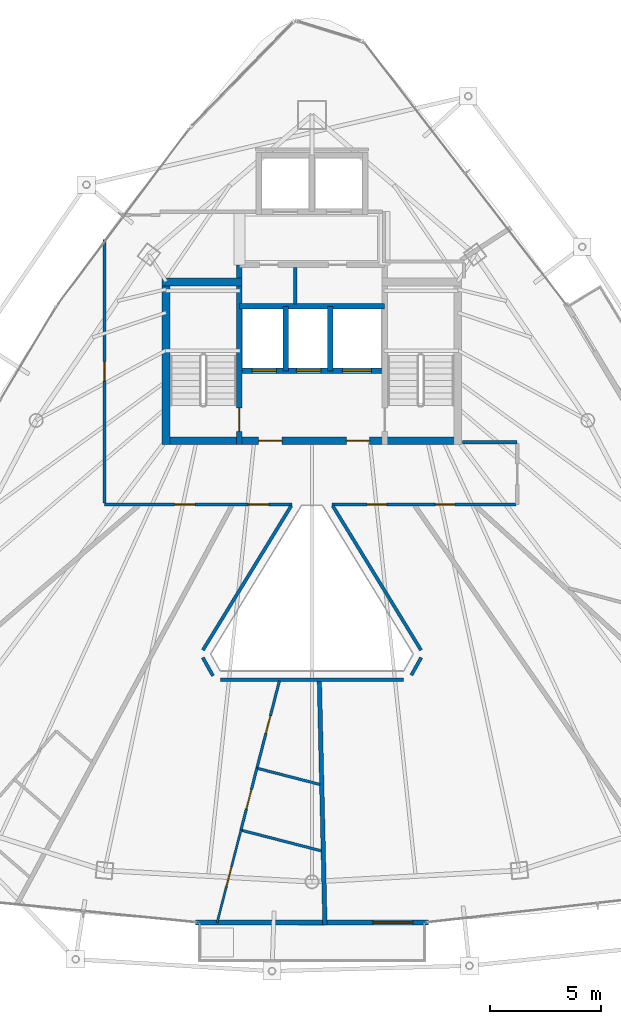
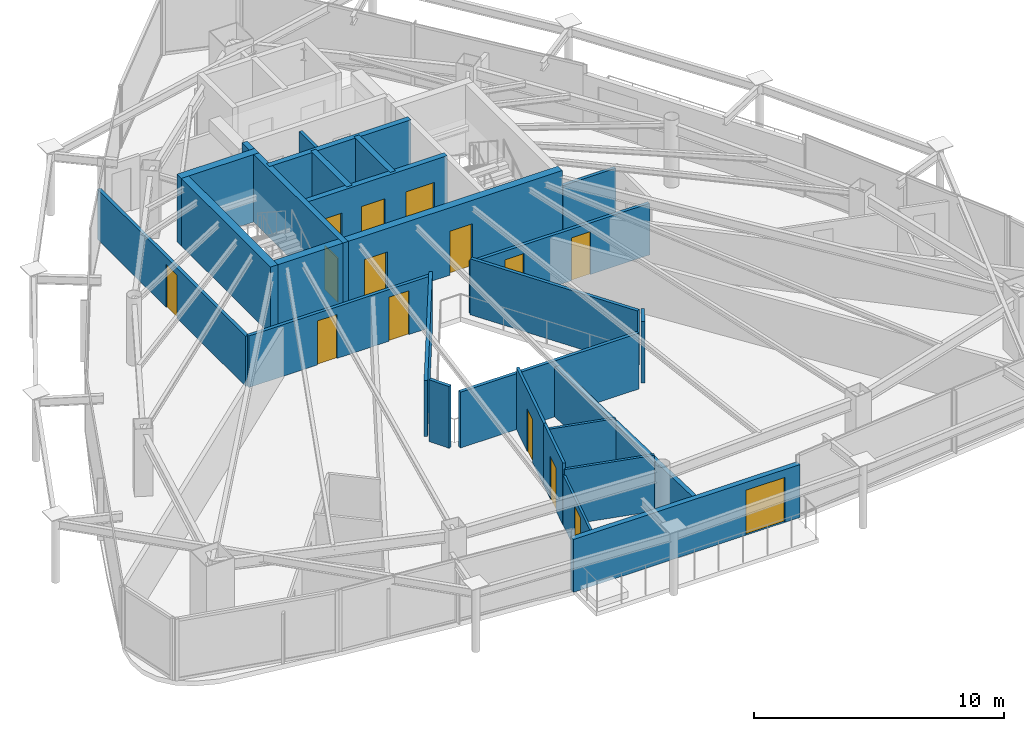
# One storey, part 26 of 30: 25 walls, 15 doors, 15 openings.
"""IFC4 building model written with IfcOpenShell, lengths in metres."""

from ifc_helpers import new_model, si_unit, direction, frame, frame_2d, origin, place, context, subcontext, project, spatial, rectangle, extrude, material, layer, layer_set, type_object, element, fill, save


model = new_model("IFC4")

# Units and contexts
model_context = context("Model", 3, precision=1e-05, world=origin(), true_north=direction((0.0, 1.0)))
body_context = subcontext(model_context, "Body", "Model", "MODEL_VIEW")
ifc_project = project(units=[si_unit("LENGTHUNIT", "METRE"), si_unit("AREAUNIT", "SQUARE_METRE"), si_unit("VOLUMEUNIT", "CUBIC_METRE"), si_unit("PLANEANGLEUNIT", "RADIAN"), si_unit("MASSUNIT", "GRAM", prefix="KILO")], contexts=[model_context])

# Site, building, storey
site_placement = place(None, origin())
site = spatial("IfcSite", under=ifc_project, at=site_placement, CompositionType="ELEMENT")
building_placement = place(site_placement, origin())
building = spatial("IfcBuilding", under=site, at=building_placement, Name="Orvanel Arch Residences", CompositionType="ELEMENT")
storey_placement = place(building_placement, frame((0.0, 0.0, 232.699951171875)))
storey = spatial("IfcBuildingStorey", under=building, at=storey_placement, Name="L66", CompositionType="ELEMENT", Elevation=232.699951171875)

# Wall, opening, door
ifc_material_1 = material(Name="Precast concrete N50 (50 MPa)", Category="concrete")
ifc_layer_1 = layer(ifc_material_1, 0.239990234375)
ifc_layer_set_1 = layer_set([ifc_layer_1], Name="Precast concrete N50 (50 MPa)")
wall_type_1 = type_object("IfcWallType", Name="EW-BAL-240", PredefinedType="SOLIDWALL", material=ifc_layer_set_1)
wall_1_placement = place(storey_placement, frame((27.758056640625, 5.010986328125, 0.0), z_axis=(0.0, 0.0, 1.0), x_axis=(1.0, 0.0, 0.0)))
wall_1 = element("IfcWall", 1, at=wall_1_placement, inside=storey, type_object=wall_type_1, Name="L66 Balcony Threshold Wall Face 2", PredefinedType="SOLIDWALL", context=body_context, shape_type="SweptSolid", body=[
    extrude(rectangle(XDim=10.48388671875, YDim=0.239990234375, at=frame_2d((5.241943359375, 0.0))), origin(), (0.0, 0.0, 1.0), 2.583984375),
])
opening_1_placement = place(wall_1_placement, frame((7.986083984375, 0.0, 0.0)))
opening_1 = element("IfcOpeningElement", 2, at=opening_1_placement, cuts=wall_1, Name="Opening DB-180", PredefinedType="OPENING", context=body_context, shape_type="SweptSolid", body=[
    extrude(rectangle(XDim=1.800048828125, YDim=2.199951171875, at=frame_2d((0.89990234375, 1.10009765625))), frame((0.0, 0.1298828125, 0.0), z_axis=(0.0, -1.0, 0.0), x_axis=(1.0, 0.0, 0.0)), (0.0, 0.0, 1.0), 0.260009765625),
])
ifc_material_2 = material(Name="Bronze-anodised aluminium AA6063-T6", Category="aluminium")
door_type_1 = type_object("IfcDoorType", Name="DR-BAL-1800", OperationType="NOTDEFINED", PredefinedType="DOOR", material=ifc_material_2)
door_1_placement = place(opening_1_placement, origin())
door_1 = element("IfcDoor", 3, at=door_1_placement, inside=storey, type_object=door_type_1, Name="DR-L66-BAL-F2 L66 Planted Balcony Access Door Face 2", OperationType="SINGLE_SWING_RIGHT", OverallHeight=2.199951171875, OverallWidth=1.800048828125, PredefinedType="DOOR", context=body_context, shape_type="SweptSolid", body=[
    extrude(rectangle(XDim=1.800048828125, YDim=2.199951171875, at=frame_2d((0.89990234375, 1.10009765625))), frame((0.0, 0.02490234375, 0.0), z_axis=(0.0, -1.0, 0.0), x_axis=(1.0, 0.0, 0.0)), (0.0, 0.0, 1.0), 0.050048828125),
])
fill(opening_1, door_1)

ifc_material_3 = material(Name="Concrete N50 (50 MPa)", Category="concrete")
ifc_layer_2 = layer(ifc_material_3, 0.25)
ifc_layer_set_2 = layer_set([ifc_layer_2], Name="Concrete N50 (50 MPa)")
wall_type_2 = type_object("IfcWallType", Name="SW-CORE-250", PredefinedType="SHEAR", material=ifc_layer_set_2)
wall_2_placement = place(storey_placement, frame((29.72509765625, 26.550048828125, 0.0), z_axis=(0.0, 0.0, 1.0), x_axis=(0.0, 1.0, 0.0)))
wall_2 = element("IfcWall", 4, at=wall_2_placement, inside=storey, type_object=wall_type_2, Name="L66 West Inner Core Spine Shear Wall", PredefinedType="SHEAR", context=body_context, shape_type="SweptSolid", body=[
    extrude(rectangle(XDim=8.099853515625, YDim=0.25, at=frame_2d((4.0498046875, 0.0))), origin(), (0.0, 0.0, 1.0), 3.300048828125),
])
opening_2_placement = place(wall_2_placement, frame((0.60009765625, 0.0, 0.0)))
opening_2 = element("IfcOpeningElement", 5, at=opening_2_placement, cuts=wall_2, Name="Opening DF-120", PredefinedType="OPENING", context=body_context, shape_type="SweptSolid", body=[
    extrude(rectangle(XDim=1.050048828125, YDim=2.14990234375, at=frame_2d((0.52490234375, 1.074951171875))), frame((0.0, 0.135009765625, 0.0), z_axis=(0.0, -1.0, 0.0), x_axis=(1.0, 0.0, 0.0)), (0.0, 0.0, 1.0), 0.27001953125),
])
ifc_material_4 = material(Name="Galvanised steel fire-resisting door assembly", Category="steel")
door_type_2 = type_object("IfcDoorType", Name="DR-FD120-1050", OperationType="NOTDEFINED", PredefinedType="DOOR", material=ifc_material_4)
door_2_placement = place(opening_2_placement, origin())
door_2 = element("IfcDoor", 6, at=door_2_placement, inside=storey, type_object=door_type_2, Name="DR-L66-ST1 L66 Stair 1 Fire Door", OperationType="SINGLE_SWING_LEFT", OverallHeight=2.14990234375, OverallWidth=1.050048828125, PredefinedType="DOOR", context=body_context, shape_type="SweptSolid", body=[
    extrude(rectangle(XDim=1.050048828125, YDim=2.14990234375, at=frame_2d((0.52490234375, 1.074951171875))), frame((0.0, 0.02490234375, 0.0), z_axis=(0.0, -1.0, 0.0), x_axis=(1.0, 0.0, 0.0)), (0.0, 0.0, 1.0), 0.050048828125),
])
fill(opening_2, door_2)

# Wall, openings, doors
wall_3_placement = place(storey_placement, frame((36.27490234375, 29.875, 0.0), z_axis=(0.0, 0.0, 1.0), x_axis=(-1.0, 0.0, 0.0)))
wall_3 = element("IfcWall", 7, at=wall_3_placement, inside=storey, type_object=wall_type_2, Name="L66 Emergency Lift Front Core Shear Wall", PredefinedType="SHEAR", context=body_context, shape_type="SweptSolid", body=[
    extrude(rectangle(XDim=6.5498046875, YDim=0.25, at=frame_2d((3.27490234375, 0.0))), origin(), (0.0, 0.0, 1.0), 3.300048828125),
])
opening_3_placement = place(wall_3_placement, frame((4.875, 0.0, 0.0)))
opening_3 = element("IfcOpeningElement", 8, at=opening_3_placement, cuts=wall_3, Name="Opening LD-110", PredefinedType="OPENING", context=body_context, shape_type="SweptSolid", body=[
    extrude(rectangle(XDim=1.10009765625, YDim=2.199951171875, at=frame_2d((0.550048828125, 1.10009765625))), frame((0.0, 0.135009765625, 0.0), z_axis=(0.0, -1.0, 0.0), x_axis=(1.0, 0.0, 0.0)), (0.0, 0.0, 1.0), 0.27001953125),
])
opening_4_placement = place(wall_3_placement, frame((2.875, 0.0, 0.0)))
opening_4 = element("IfcOpeningElement", 9, at=opening_4_placement, cuts=wall_3, Name="Opening LD-110", PredefinedType="OPENING", context=body_context, shape_type="SweptSolid", body=[
    extrude(rectangle(XDim=1.10009765625, YDim=2.199951171875, at=frame_2d((0.550048828125, 1.10009765625))), frame((0.0, 0.135009765625, 0.0), z_axis=(0.0, -1.0, 0.0), x_axis=(1.0, 0.0, 0.0)), (0.0, 0.0, 1.0), 0.27001953125),
])
opening_5_placement = place(wall_3_placement, frame((0.60009765625, 0.0, 0.0)))
opening_5 = element("IfcOpeningElement", 10, at=opening_5_placement, cuts=wall_3, Name="Opening LD-130", PredefinedType="OPENING", context=body_context, shape_type="SweptSolid", body=[
    extrude(rectangle(XDim=1.300048828125, YDim=2.199951171875, at=frame_2d((0.64990234375, 1.10009765625))), frame((0.0, 0.135009765625, 0.0), z_axis=(0.0, -1.0, 0.0), x_axis=(1.0, 0.0, 0.0)), (0.0, 0.0, 1.0), 0.27001953125),
])
door_type_3 = type_object("IfcDoorType", Name="DR-LFT-1100", OperationType="NOTDEFINED", PredefinedType="DOOR", material=ifc_material_4)
door_3_placement = place(opening_3_placement, origin())
door_3 = element("IfcDoor", 11, at=door_3_placement, inside=storey, type_object=door_type_3, Name="LD-F1-L66 L66 Lift F1 Sliding Landing Door", OperationType="DOUBLE_DOOR_SLIDING", OverallHeight=2.199951171875, OverallWidth=1.10009765625, PredefinedType="DOOR", context=body_context, shape_type="SweptSolid", body=[
    extrude(rectangle(XDim=1.10009765625, YDim=2.199951171875, at=frame_2d((0.550048828125, 1.10009765625))), frame((0.0, 0.02490234375, 0.0), z_axis=(0.0, -1.0, 0.0), x_axis=(1.0, 0.0, 0.0)), (0.0, 0.0, 1.0), 0.050048828125),
])
fill(opening_3, door_3)
door_4_placement = place(opening_4_placement, origin())
door_4 = element("IfcDoor", 12, at=door_4_placement, inside=storey, type_object=door_type_3, Name="LD-F2-L66 L66 Lift F2 Sliding Landing Door", OperationType="DOUBLE_DOOR_SLIDING", OverallHeight=2.199951171875, OverallWidth=1.10009765625, PredefinedType="DOOR", context=body_context, shape_type="SweptSolid", body=[
    extrude(rectangle(XDim=1.10009765625, YDim=2.199951171875, at=frame_2d((0.550048828125, 1.10009765625))), frame((0.0, 0.02490234375, 0.0), z_axis=(0.0, -1.0, 0.0), x_axis=(1.0, 0.0, 0.0)), (0.0, 0.0, 1.0), 0.050048828125),
])
fill(opening_4, door_4)
door_type_4 = type_object("IfcDoorType", Name="DR-LFT-1300", OperationType="NOTDEFINED", PredefinedType="DOOR", material=ifc_material_4)
door_5_placement = place(opening_5_placement, origin())
door_5 = element("IfcDoor", 13, at=door_5_placement, inside=storey, type_object=door_type_4, Name="LD-G1-L66 L66 Lift G1 Sliding Landing Door", OperationType="DOUBLE_DOOR_SLIDING", OverallHeight=2.199951171875, OverallWidth=1.300048828125, PredefinedType="DOOR", context=body_context, shape_type="SweptSolid", body=[
    extrude(rectangle(XDim=1.300048828125, YDim=2.199951171875, at=frame_2d((0.64990234375, 1.10009765625))), frame((0.0, 0.02490234375, 0.0), z_axis=(0.0, -1.0, 0.0), x_axis=(1.0, 0.0, 0.0)), (0.0, 0.0, 1.0), 0.050048828125),
])
fill(opening_5, door_5)

# Walls
wall_4_placement = place(storey_placement, frame((29.72509765625, 32.77490234375, 0.0), z_axis=(0.0, 0.0, 1.0), x_axis=(1.0, 0.0, 0.0)))
element("IfcWall", 14, at=wall_4_placement, inside=storey, type_object=wall_type_2, Name="L66 Emergency Lift Back Core Shear Wall", PredefinedType="SHEAR", context=body_context, shape_type="SweptSolid", body=[
    extrude(rectangle(XDim=6.5498046875, YDim=0.25, at=frame_2d((3.27490234375, 0.0))), origin(), (0.0, 0.0, 1.0), 3.300048828125),
])
for number, where, z_axis, x_axis, name in (
    (15, (31.824951171875, 29.875, 0.0), (0.0, 0.0, 1.0), (0.0, 1.0, 0.0), "L66 Emergency Lift Inter-Shaft Wall F12"),
    (16, (33.824951171875, 29.875, 0.0), (0.0, 0.0, 1.0), (0.0, 1.0, 0.0), "L66 Emergency Lift Inter-Shaft Wall F2G"),
):
    element("IfcWall", number, at=place(storey_placement, frame(where, z_axis=z_axis, x_axis=x_axis)), inside=storey, type_object=wall_type_2, Name=name, PredefinedType="SHEAR", context=body_context, shape_type="SweptSolid", body=[
        extrude(rectangle(XDim=2.89990234375, YDim=0.25, at=frame_2d((1.449951171875, 0.0))), origin(), (0.0, 0.0, 1.0), 3.300048828125),
    ])

# Wall, openings, doors
ifc_layer_3 = layer(ifc_material_3, 0.35009765625)
ifc_layer_set_3 = layer_set([ifc_layer_3], Name="Concrete N50 (50 MPa)")
wall_type_3 = type_object("IfcWallType", Name="SW-CORE-350", PredefinedType="SHEAR", material=ifc_layer_set_3)
wall_5_placement = place(storey_placement, frame((26.25, 26.72509765625, 0.0), z_axis=(0.0, 0.0, 1.0), x_axis=(1.0, 0.0, 0.0)))
wall_5 = element("IfcWall", 17, at=wall_5_placement, inside=storey, type_object=wall_type_3, Name="L66 South Core Shear Wall", PredefinedType="SHEAR", context=body_context, shape_type="SweptSolid", body=[
    extrude(rectangle(XDim=13.5, YDim=0.35009765625, at=frame_2d((6.75, 0.0))), origin(), (0.0, 0.0, 1.0), 3.300048828125),
])
opening_6_placement = place(wall_5_placement, frame((4.35009765625, 0.0, 0.0)))
opening_6 = element("IfcOpeningElement", 18, at=opening_6_placement, cuts=wall_5, Name="Opening DF-060", PredefinedType="OPENING", context=body_context, shape_type="SweptSolid", body=[
    extrude(rectangle(XDim=1.050048828125, YDim=2.14990234375, at=frame_2d((0.52490234375, 1.074951171875))), frame((0.0, 0.18505859375, 0.0), z_axis=(0.0, -1.0, 0.0), x_axis=(1.0, 0.0, 0.0)), (0.0, 0.0, 1.0), 0.3701171875),
])
opening_7_placement = place(wall_5_placement, frame((8.300048828125, 0.0, 0.0)))
opening_7 = element("IfcOpeningElement", 19, at=opening_7_placement, cuts=wall_5, Name="Opening DF-060", PredefinedType="OPENING", context=body_context, shape_type="SweptSolid", body=[
    extrude(rectangle(XDim=1.050048828125, YDim=2.14990234375, at=frame_2d((0.52490234375, 1.074951171875))), frame((0.0, 0.18505859375, 0.0), z_axis=(0.0, -1.0, 0.0), x_axis=(1.0, 0.0, 0.0)), (0.0, 0.0, 1.0), 0.3701171875),
])
door_type_5 = type_object("IfcDoorType", Name="DR-FD60-1050", OperationType="NOTDEFINED", PredefinedType="DOOR", material=ifc_material_4)
door_6_placement = place(opening_6_placement, origin())
door_6 = element("IfcDoor", 20, at=door_6_placement, inside=storey, type_object=door_type_5, Name="DR-L66-FFL-W L66 West Smoke Lobby Door", OperationType="SINGLE_SWING_LEFT", OverallHeight=2.14990234375, OverallWidth=1.050048828125, PredefinedType="DOOR", context=body_context, shape_type="SweptSolid", body=[
    extrude(rectangle(XDim=1.050048828125, YDim=2.14990234375, at=frame_2d((0.52490234375, 1.074951171875))), frame((0.0, 0.02490234375, 0.0), z_axis=(0.0, -1.0, 0.0), x_axis=(1.0, 0.0, 0.0)), (0.0, 0.0, 1.0), 0.050048828125),
])
fill(opening_6, door_6)
door_7_placement = place(opening_7_placement, origin())
door_7 = element("IfcDoor", 21, at=door_7_placement, inside=storey, type_object=door_type_5, Name="DR-L66-FFL-E L66 East Smoke Lobby Door", OperationType="SINGLE_SWING_RIGHT", OverallHeight=2.14990234375, OverallWidth=1.050048828125, PredefinedType="DOOR", context=body_context, shape_type="SweptSolid", body=[
    extrude(rectangle(XDim=1.050048828125, YDim=2.14990234375, at=frame_2d((0.52490234375, 1.074951171875))), frame((0.0, 0.02490234375, 0.0), z_axis=(0.0, -1.0, 0.0), x_axis=(1.0, 0.0, 0.0)), (0.0, 0.0, 1.0), 0.050048828125),
])
fill(opening_7, door_7)

# Walls
wall_6_placement = place(storey_placement, frame((26.425048828125, 26.550048828125, 0.0), z_axis=(0.0, 0.0, 1.0), x_axis=(0.0, 1.0, 0.0)))
element("IfcWall", 22, at=wall_6_placement, inside=storey, type_object=wall_type_3, Name="L66 West Stair Shear Wall", PredefinedType="SHEAR", context=body_context, shape_type="SweptSolid", body=[
    extrude(rectangle(XDim=7.5, YDim=0.35009765625, at=frame_2d((3.75, 0.0))), origin(), (0.0, 0.0, 1.0), 3.300048828125),
])
wall_7_placement = place(storey_placement, frame((26.25, 33.875, 0.0), z_axis=(0.0, 0.0, 1.0), x_axis=(1.0, 0.0, 0.0)))
element("IfcWall", 23, at=wall_7_placement, inside=storey, type_object=wall_type_3, Name="L66 West Stair North Shear Wall", PredefinedType="SHEAR", context=body_context, shape_type="SweptSolid", body=[
    extrude(rectangle(XDim=3.60009765625, YDim=0.35009765625, at=frame_2d((1.800048828125, 0.0))), origin(), (0.0, 0.0, 1.0), 3.300048828125),
])

# Wall, openings, doors
ifc_material_5 = material(Name="Fire-rated plasterboard lined steel stud partition", Category="steel")
ifc_layer_4 = layer(ifc_material_5, 0.14990234375)
ifc_layer_set_4 = layer_set([ifc_layer_4], Name="Fire-rated plasterboard lined steel stud partition")
wall_type_4 = type_object("IfcWallType", Name="W-COR-150", PredefinedType="PARTITIONING", material=ifc_layer_set_4)
wall_8_placement = place(storey_placement, frame((32.095947265625, 23.85009765625, 0.0), z_axis=(0.0, 0.0, 1.0), x_axis=(-1.0, 0.0, 0.0)))
wall_8 = element("IfcWall", 24, at=wall_8_placement, inside=storey, type_object=wall_type_4, Name="L66 Corridor Fire-Rated Partition", PredefinedType="PARTITIONING", context=body_context, shape_type="SweptSolid", body=[
    extrude(rectangle(XDim=8.446044921875, YDim=0.14990234375, at=frame_2d((4.22314453125, 0.0))), origin(), (0.0, 0.0, 1.0), 2.525146484375),
])
opening_8_placement = place(wall_8_placement, frame((4.364990234375, 0.0, 0.0)))
opening_8 = element("IfcOpeningElement", 25, at=opening_8_placement, cuts=wall_8, Name="Opening DA-092", PredefinedType="OPENING", context=body_context, shape_type="SweptSolid", body=[
    extrude(rectangle(XDim=0.919921875, YDim=2.14990234375, at=frame_2d((0.4599609375, 1.074951171875))), frame((0.0, 0.0849609375, 0.0), z_axis=(0.0, -1.0, 0.0), x_axis=(1.0, 0.0, 0.0)), (0.0, 0.0, 1.0), 0.169921875),
])
opening_9_placement = place(wall_8_placement, frame((1.044921875, 0.0, 0.0)))
opening_9 = element("IfcOpeningElement", 26, at=opening_9_placement, cuts=wall_8, Name="Opening DA-092", PredefinedType="OPENING", context=body_context, shape_type="SweptSolid", body=[
    extrude(rectangle(XDim=0.919921875, YDim=2.14990234375, at=frame_2d((0.4599609375, 1.074951171875))), frame((0.0, 0.0849609375, 0.0), z_axis=(0.0, -1.0, 0.0), x_axis=(1.0, 0.0, 0.0)), (0.0, 0.0, 1.0), 0.169921875),
])
ifc_material_6 = material(Name="Solid-core European oak veneer fire door leaf", Category="wood")
door_type_6 = type_object("IfcDoorType", Name="DR-APT-920", OperationType="NOTDEFINED", PredefinedType="DOOR", material=ifc_material_6)
door_8_placement = place(opening_8_placement, origin())
door_8 = element("IfcDoor", 27, at=door_8_placement, inside=storey, type_object=door_type_6, Name="DR-L66-B-ENT L66 Studio B Entrance Door", OperationType="SINGLE_SWING_LEFT", OverallHeight=2.14990234375, OverallWidth=0.919921875, PredefinedType="DOOR", context=body_context, shape_type="SweptSolid", body=[
    extrude(rectangle(XDim=0.919921875, YDim=2.14990234375, at=frame_2d((0.4599609375, 1.074951171875))), frame((0.0, 0.02490234375, 0.0), z_axis=(0.0, -1.0, 0.0), x_axis=(1.0, 0.0, 0.0)), (0.0, 0.0, 1.0), 0.050048828125),
])
fill(opening_8, door_8)
door_9_placement = place(opening_9_placement, origin())
door_9 = element("IfcDoor", 28, at=door_9_placement, inside=storey, type_object=door_type_6, Name="DR-L66-D-ENT L66 Studio D Entrance Door", OperationType="SINGLE_SWING_LEFT", OverallHeight=2.14990234375, OverallWidth=0.919921875, PredefinedType="DOOR", context=body_context, shape_type="SweptSolid", body=[
    extrude(rectangle(XDim=0.919921875, YDim=2.14990234375, at=frame_2d((0.4599609375, 1.074951171875))), frame((0.0, 0.02490234375, 0.0), z_axis=(0.0, -1.0, 0.0), x_axis=(1.0, 0.0, 0.0)), (0.0, 0.0, 1.0), 0.050048828125),
])
fill(opening_9, door_9)

# Wall, opening, door
wall_9_placement = place(storey_placement, frame((23.64990234375, 23.909912109375, 0.0), z_axis=(0.0, 0.0, 1.0), x_axis=(0.0, 1.0, 0.0)))
wall_9 = element("IfcWall", 29, at=wall_9_placement, inside=storey, type_object=wall_type_4, Name="L66 Corridor Fire-Rated Partition", PredefinedType="PARTITIONING", context=body_context, shape_type="SweptSolid", body=[
    extrude(rectangle(XDim=11.88818359375, YDim=0.14990234375, at=frame_2d((5.944091796875, 0.0))), origin(), (0.0, 0.0, 1.0), 2.4521484375),
])
opening_10_placement = place(wall_9_placement, frame((5.50390625, 0.0, 0.0)))
opening_10 = element("IfcOpeningElement", 30, at=opening_10_placement, cuts=wall_9, Name="Opening DI-088", PredefinedType="OPENING", context=body_context, shape_type="SweptSolid", body=[
    extrude(rectangle(XDim=0.8798828125, YDim=2.10009765625, at=frame_2d((0.43994140625, 1.050048828125))), frame((0.0, 0.0849609375, 0.0), z_axis=(0.0, -1.0, 0.0), x_axis=(1.0, 0.0, 0.0)), (0.0, 0.0, 1.0), 0.169921875),
])
door_type_7 = type_object("IfcDoorType", Name="DR-INT-880", OperationType="NOTDEFINED", PredefinedType="DOOR", material=ifc_material_6)
door_10_placement = place(opening_10_placement, origin())
door_10 = element("IfcDoor", 31, at=door_10_placement, inside=storey, type_object=door_type_7, Name="DR-L66-SHRD-FB5 L66 Co-Working Study Office E Door", OperationType="SINGLE_SWING_LEFT", OverallHeight=2.10009765625, OverallWidth=0.8798828125, PredefinedType="DOOR", context=body_context, shape_type="SweptSolid", body=[
    extrude(rectangle(XDim=0.8798828125, YDim=2.10009765625, at=frame_2d((0.43994140625, 1.050048828125))), frame((0.0, 0.02490234375, 0.0), z_axis=(0.0, -1.0, 0.0), x_axis=(1.0, 0.0, 0.0)), (0.0, 0.0, 1.0), 0.050048828125),
])
fill(opening_10, door_10)

# Wall
wall_10_placement = place(storey_placement, frame((39.7900390625, 26.64990234375, 0.0), z_axis=(0.0, 0.0, 1.0), x_axis=(1.0, 0.0, 0.0)))
element("IfcWall", 32, at=wall_10_placement, inside=storey, type_object=wall_type_4, Name="L66 Corridor Fire-Rated Partition", PredefinedType="PARTITIONING", context=body_context, shape_type="SweptSolid", body=[
    extrude(rectangle(XDim=2.4599609375, YDim=0.14990234375, at=frame_2d((1.22998046875, 0.0))), origin(), (0.0, 0.0, 1.0), 2.525146484375),
])

# Wall, openings, doors
wall_11_placement = place(storey_placement, frame((42.18994140625, 23.85009765625, 0.0), z_axis=(0.0, 0.0, 1.0), x_axis=(-1.0, 0.0, 0.0)))
wall_11 = element("IfcWall", 33, at=wall_11_placement, inside=storey, type_object=wall_type_4, Name="L66 Corridor Fire-Rated Partition", PredefinedType="PARTITIONING", context=body_context, shape_type="SweptSolid", body=[
    extrude(rectangle(XDim=8.285888671875, YDim=0.14990234375, at=frame_2d((4.14306640625, 0.0))), origin(), (0.0, 0.0, 1.0), 2.525146484375),
])
opening_11_placement = place(wall_11_placement, frame((5.823974609375, 0.0, 0.0)))
opening_11 = element("IfcOpeningElement", 34, at=opening_11_placement, cuts=wall_11, Name="Opening DI-088", PredefinedType="OPENING", context=body_context, shape_type="SweptSolid", body=[
    extrude(rectangle(XDim=0.8798828125, YDim=2.10009765625, at=frame_2d((0.43994140625, 1.050048828125))), frame((0.0, 0.0849609375, 0.0), z_axis=(0.0, -1.0, 0.0), x_axis=(1.0, 0.0, 0.0)), (0.0, 0.0, 1.0), 0.169921875),
])
opening_12_placement = place(wall_11_placement, frame((2.7451171875, 0.0, 0.0)))
opening_12 = element("IfcOpeningElement", 35, at=opening_12_placement, cuts=wall_11, Name="Opening DI-088", PredefinedType="OPENING", context=body_context, shape_type="SweptSolid", body=[
    extrude(rectangle(XDim=0.8798828125, YDim=2.10009765625, at=frame_2d((0.43994140625, 1.050048828125))), frame((0.0, 0.0849609375, 0.0), z_axis=(0.0, -1.0, 0.0), x_axis=(1.0, 0.0, 0.0)), (0.0, 0.0, 1.0), 0.169921875),
])
door_11_placement = place(opening_11_placement, origin())
door_11 = element("IfcDoor", 36, at=door_11_placement, inside=storey, type_object=door_type_7, Name="DR-L66-SHRD-FB1 L66 Co-Working Study Office A Door", OperationType="SINGLE_SWING_LEFT", OverallHeight=2.10009765625, OverallWidth=0.8798828125, PredefinedType="DOOR", context=body_context, shape_type="SweptSolid", body=[
    extrude(rectangle(XDim=0.8798828125, YDim=2.10009765625, at=frame_2d((0.43994140625, 1.050048828125))), frame((0.0, 0.02490234375, 0.0), z_axis=(0.0, -1.0, 0.0), x_axis=(1.0, 0.0, 0.0)), (0.0, 0.0, 1.0), 0.050048828125),
])
fill(opening_11, door_11)
door_12_placement = place(opening_12_placement, origin())
door_12 = element("IfcDoor", 37, at=door_12_placement, inside=storey, type_object=door_type_7, Name="DR-L66-SHRD-FB6 L66 Co-Working Study Office F Door", OperationType="SINGLE_SWING_LEFT", OverallHeight=2.10009765625, OverallWidth=0.8798828125, PredefinedType="DOOR", context=body_context, shape_type="SweptSolid", body=[
    extrude(rectangle(XDim=0.8798828125, YDim=2.10009765625, at=frame_2d((0.43994140625, 1.050048828125))), frame((0.0, 0.02490234375, 0.0), z_axis=(0.0, -1.0, 0.0), x_axis=(1.0, 0.0, 0.0)), (0.0, 0.0, 1.0), 0.050048828125),
])
fill(opening_12, door_12)

# Walls
wall_12_placement = place(storey_placement, frame((33.93505859375, 23.7900390625, 0.0), z_axis=(0.0, 0.0, 1.0), x_axis=(0.521984684225, -0.852954857794, 0.0)))
element("IfcWall", 38, at=wall_12_placement, inside=storey, type_object=wall_type_4, Name="L66 Atrium Overlook Glazed Partition", PredefinedType="PARTITIONING", context=body_context, shape_type="SweptSolid", body=[
    extrude(rectangle(XDim=7.62646484375, YDim=0.14990234375, at=frame_2d((3.813232421875, 0.0))), origin(), (0.0, 0.0, 1.0), 2.733154296875),
])
wall_13_placement = place(storey_placement, frame((37.922119140625, 16.948974609375, 0.0), z_axis=(0.0, 0.0, 1.0), x_axis=(-0.48754316559, -0.873098884255, 0.0)))
element("IfcWall", 39, at=wall_13_placement, inside=storey, type_object=wall_type_4, Name="L66 Atrium Overlook Glazed Partition", PredefinedType="PARTITIONING", context=body_context, shape_type="SweptSolid", body=[
    extrude(rectangle(XDim=0.90478515625, YDim=0.14990234375, at=frame_2d((0.452392578125, 0.0))), origin(), (0.0, 0.0, 1.0), 3.02001953125),
])
wall_14_placement = place(storey_placement, frame((37.132080078125, 15.955078125, 0.0), z_axis=(0.0, 0.0, 1.0), x_axis=(-1.0, 0.0, 0.0)))
element("IfcWall", 40, at=wall_14_placement, inside=storey, type_object=wall_type_4, Name="L66 Atrium Overlook Glazed Partition", PredefinedType="PARTITIONING", context=body_context, shape_type="SweptSolid", body=[
    extrude(rectangle(XDim=8.26416015625, YDim=0.14990234375, at=frame_2d((4.132080078125, 0.0))), origin(), (0.0, 0.0, 1.0), 2.733154296875),
])
wall_15_placement = place(storey_placement, frame((28.5390625, 16.1259765625, 0.0), z_axis=(0.0, 0.0, 1.0), x_axis=(-0.488847636641, 0.87236918111, 0.0)))
element("IfcWall", 41, at=wall_15_placement, inside=storey, type_object=wall_type_4, Name="L66 Atrium Overlook Glazed Partition", PredefinedType="PARTITIONING", context=body_context, shape_type="SweptSolid", body=[
    extrude(rectangle(XDim=0.943359375, YDim=0.14990234375, at=frame_2d((0.4716796875, 0.0))), origin(), (0.0, 0.0, 1.0), 3.02001953125),
])
wall_16_placement = place(storey_placement, frame((28.083984375, 17.284912109375, 0.0), z_axis=(0.0, 0.0, 1.0), x_axis=(0.521984684225, 0.852954857794, 0.0)))
element("IfcWall", 42, at=wall_16_placement, inside=storey, type_object=wall_type_4, Name="L66 Atrium Overlook Glazed Partition", PredefinedType="PARTITIONING", context=body_context, shape_type="SweptSolid", body=[
    extrude(rectangle(XDim=7.62646484375, YDim=0.14990234375, at=frame_2d((3.813232421875, 0.0))), origin(), (0.0, 0.0, 1.0), 2.733154296875),
])
ifc_layer_5 = layer(ifc_material_5, 0.199951171875)
ifc_layer_set_5 = layer_set([ifc_layer_5], Name="Fire-rated plasterboard lined steel stud partition")
wall_type_5 = type_object("IfcWallType", Name="W-DEM-200", PredefinedType="PARTITIONING", material=ifc_layer_set_5)
wall_17_placement = place(storey_placement, frame((33.5849609375, 4.89892578125, 0.0), z_axis=(0.0, 0.0, 1.0), x_axis=(-0.022818213595, 0.999739630668, 0.0)))
element("IfcWall", 43, at=wall_17_placement, inside=storey, type_object=wall_type_5, Name="L66 Inter-Tenancy Acoustic Demising Wall", PredefinedType="PARTITIONING", context=body_context, shape_type="SweptSolid", body=[
    extrude(rectangle(XDim=10.9990234375, YDim=0.199951171875, at=frame_2d((5.49951171875, 0.0))), origin(), (0.0, 0.0, 1.0), 2.4521484375),
])

# Wall, opening, door
ifc_material_7 = material(Name="Acoustic plasterboard lined twin-stud partition", Category="gypsum")
ifc_layer_6 = layer(ifc_material_7, 0.10009765625)
ifc_layer_set_6 = layer_set([ifc_layer_6], Name="Acoustic plasterboard lined twin-stud partition")
wall_type_6 = type_object("IfcWallType", Name="W-INT-100", PredefinedType="PARTITIONING", material=ifc_layer_set_6)
wall_18_placement = place(storey_placement, frame((29.799072265625, 9.1708984375, 0.0), z_axis=(0.0, 0.0, 1.0), x_axis=(-0.249680784234, -0.968328201585, 0.0)))
wall_18 = element("IfcWall", 44, at=wall_18_placement, inside=storey, type_object=wall_type_6, Name="L66 Studio D Internal Partition", PredefinedType="PARTITIONING", context=body_context, shape_type="SweptSolid", body=[
    extrude(rectangle(XDim=4.305419921875, YDim=0.10009765625, at=frame_2d((2.15283203125, 0.0))), origin(), (0.0, 0.0, 1.0), 2.4521484375),
])
opening_13_placement = place(wall_18_placement, frame((1.712890625, 0.0, 0.0)))
opening_13 = element("IfcOpeningElement", 45, at=opening_13_placement, cuts=wall_18, Name="Opening DI-088", PredefinedType="OPENING", context=body_context, shape_type="SweptSolid", body=[
    extrude(rectangle(XDim=0.8798828125, YDim=2.10009765625, at=frame_2d((0.43994140625, 1.050048828125))), frame((0.0, 0.06005859375, 0.0), z_axis=(0.0, -1.0, 0.0), x_axis=(1.0, 0.0, 0.0)), (0.0, 0.0, 1.0), 0.1201171875),
])
door_13_placement = place(opening_13_placement, origin())
door_13 = element("IfcDoor", 46, at=door_13_placement, inside=storey, type_object=door_type_7, Name="DR-L66-D-OFC1 L66 Studio D Home Work Office 2 Door", OperationType="SINGLE_SWING_LEFT", OverallHeight=2.10009765625, OverallWidth=0.8798828125, PredefinedType="DOOR", context=body_context, shape_type="SweptSolid", body=[
    extrude(rectangle(XDim=0.8798828125, YDim=2.10009765625, at=frame_2d((0.43994140625, 1.050048828125))), frame((0.0, 0.02490234375, 0.0), z_axis=(0.0, -1.0, 0.0), x_axis=(1.0, 0.0, 0.0)), (0.0, 0.0, 1.0), 0.050048828125),
])
fill(opening_13, door_13)

# Wall
ifc_layer_7 = layer(ifc_material_5, 0.14990234375)
ifc_layer_set_7 = layer_set([ifc_layer_7], Name="Fire-rated plasterboard lined steel stud partition")
wall_type_7 = type_object("IfcWallType", Name="W-ST-150", PredefinedType="PARTITIONING", material=ifc_layer_set_7)
wall_19_placement = place(storey_placement, frame((32.25, 32.885009765625, 0.0), z_axis=(0.0, 0.0, 1.0), x_axis=(0.0, 1.0, 0.0)))
element("IfcWall", 47, at=wall_19_placement, inside=storey, type_object=wall_type_7, Name="L66 Core Service Partition 1", PredefinedType="PARTITIONING", context=body_context, shape_type="SweptSolid", body=[
    extrude(rectangle(XDim=1.655029296875, YDim=0.14990234375, at=frame_2d((0.82763671875, 0.0))), origin(), (0.0, 0.0, 1.0), 3.02001953125),
])

# Wall, opening, door
ifc_layer_8 = layer(ifc_material_7, 0.1201171875)
ifc_layer_set_8 = layer_set([ifc_layer_8], Name="Acoustic plasterboard lined twin-stud partition")
wall_type_8 = type_object("IfcWallType", Name="W-WET-120", PredefinedType="PARTITIONING", material=ifc_layer_set_8)
wall_20_placement = place(storey_placement, frame((31.531982421875, 15.89501953125, 0.0), z_axis=(0.0, 0.0, 1.0), x_axis=(-0.24968708983, -0.968326575682, 0.0)))
wall_20 = element("IfcWall", 48, at=wall_20_placement, inside=storey, type_object=wall_type_8, Name="L66 Studio D Bathroom Partition", PredefinedType="PARTITIONING", context=body_context, shape_type="SweptSolid", body=[
    extrude(rectangle(XDim=4.060791015625, YDim=0.1201171875, at=frame_2d((2.0302734375, 0.0))), origin(), (0.0, 0.0, 1.0), 3.02001953125),
])
opening_14_placement = place(wall_20_placement, frame((1.6201171875, 0.0, 0.0)))
opening_14 = element("IfcOpeningElement", 49, at=opening_14_placement, cuts=wall_20, Name="Opening DW-082", PredefinedType="OPENING", context=body_context, shape_type="SweptSolid", body=[
    extrude(rectangle(XDim=0.820068359375, YDim=2.10009765625, at=frame_2d((0.41015625, 1.050048828125))), frame((0.0, 0.070068359375, 0.0), z_axis=(0.0, -1.0, 0.0), x_axis=(1.0, 0.0, 0.0)), (0.0, 0.0, 1.0), 0.14013671875),
])
door_type_8 = type_object("IfcDoorType", Name="DR-WET-820", OperationType="NOTDEFINED", PredefinedType="DOOR", material=ifc_material_6)
door_14_placement = place(opening_14_placement, origin())
door_14 = element("IfcDoor", 50, at=door_14_placement, inside=storey, type_object=door_type_8, Name="DR-L66-D-BATH L66 Studio D Bathroom Door", OperationType="SINGLE_SWING_RIGHT", OverallHeight=2.10009765625, OverallWidth=0.820068359375, PredefinedType="DOOR", context=body_context, shape_type="SweptSolid", body=[
    extrude(rectangle(XDim=0.820068359375, YDim=2.10009765625, at=frame_2d((0.41015625, 1.050048828125))), frame((0.0, 0.02490234375, 0.0), z_axis=(0.0, -1.0, 0.0), x_axis=(1.0, 0.0, 0.0)), (0.0, 0.0, 1.0), 0.050048828125),
])
fill(opening_14, door_14)

wall_21_placement = place(storey_placement, frame((30.51806640625, 11.962890625, 0.0), z_axis=(0.0, 0.0, 1.0), x_axis=(-0.249383700926, -0.968404755106, 0.0)))
wall_21 = element("IfcWall", 51, at=wall_21_placement, inside=storey, type_object=wall_type_8, Name="L66 Studio D Internal Partition", PredefinedType="PARTITIONING", context=body_context, shape_type="SweptSolid", body=[
    extrude(rectangle(XDim=2.883056640625, YDim=0.1201171875, at=frame_2d((1.44140625, 0.0))), origin(), (0.0, 0.0, 1.0), 3.02001953125),
])
opening_15_placement = place(wall_21_placement, frame((1.001953125, 0.0, 0.0)))
opening_15 = element("IfcOpeningElement", 52, at=opening_15_placement, cuts=wall_21, Name="Opening DI-088", PredefinedType="OPENING", context=body_context, shape_type="SweptSolid", body=[
    extrude(rectangle(XDim=0.8798828125, YDim=2.10009765625, at=frame_2d((0.43994140625, 1.050048828125))), frame((0.0, 0.070068359375, 0.0), z_axis=(0.0, -1.0, 0.0), x_axis=(1.0, 0.0, 0.0)), (0.0, 0.0, 1.0), 0.14013671875),
])
door_15_placement = place(opening_15_placement, origin())
door_15 = element("IfcDoor", 53, at=door_15_placement, inside=storey, type_object=door_type_7, Name="DR-L66-D-KIT L66 Studio D Kitchenette Door", OperationType="SINGLE_SWING_LEFT", OverallHeight=2.10009765625, OverallWidth=0.8798828125, PredefinedType="DOOR", context=body_context, shape_type="SweptSolid", body=[
    extrude(rectangle(XDim=0.8798828125, YDim=2.10009765625, at=frame_2d((0.43994140625, 1.050048828125))), frame((0.0, 0.02490234375, 0.0), z_axis=(0.0, -1.0, 0.0), x_axis=(1.0, 0.0, 0.0)), (0.0, 0.0, 1.0), 0.050048828125),
])
fill(opening_15, door_15)

# Walls
wall_22_placement = place(storey_placement, frame((33.35498046875, 11.23095703125, 0.0), z_axis=(0.0, 0.0, 1.0), x_axis=(-0.968291630449, 0.249822573846, 0.0)))
element("IfcWall", 54, at=wall_22_placement, inside=storey, type_object=wall_type_8, Name="L66 Studio D Bathroom Partition", PredefinedType="PARTITIONING", context=body_context, shape_type="SweptSolid", body=[
    extrude(rectangle(XDim=2.929931640625, YDim=0.1201171875, at=frame_2d((1.46484375, 0.0))), origin(), (0.0, 0.0, 1.0), 2.733154296875),
])
wall_23_placement = place(storey_placement, frame((33.424072265625, 8.237060546875, 0.0), z_axis=(0.0, 0.0, 1.0), x_axis=(-0.968383623763, 0.249465743595, 0.0)))
element("IfcWall", 55, at=wall_23_placement, inside=storey, type_object=wall_type_8, Name="L66 Studio D Internal Partition", PredefinedType="PARTITIONING", context=body_context, shape_type="SweptSolid", body=[
    extrude(rectangle(XDim=3.743408203125, YDim=0.1201171875, at=frame_2d((1.87158203125, 0.0))), origin(), (0.0, 0.0, 1.0), 2.733154296875),
])

save(model, "model.ifc")
